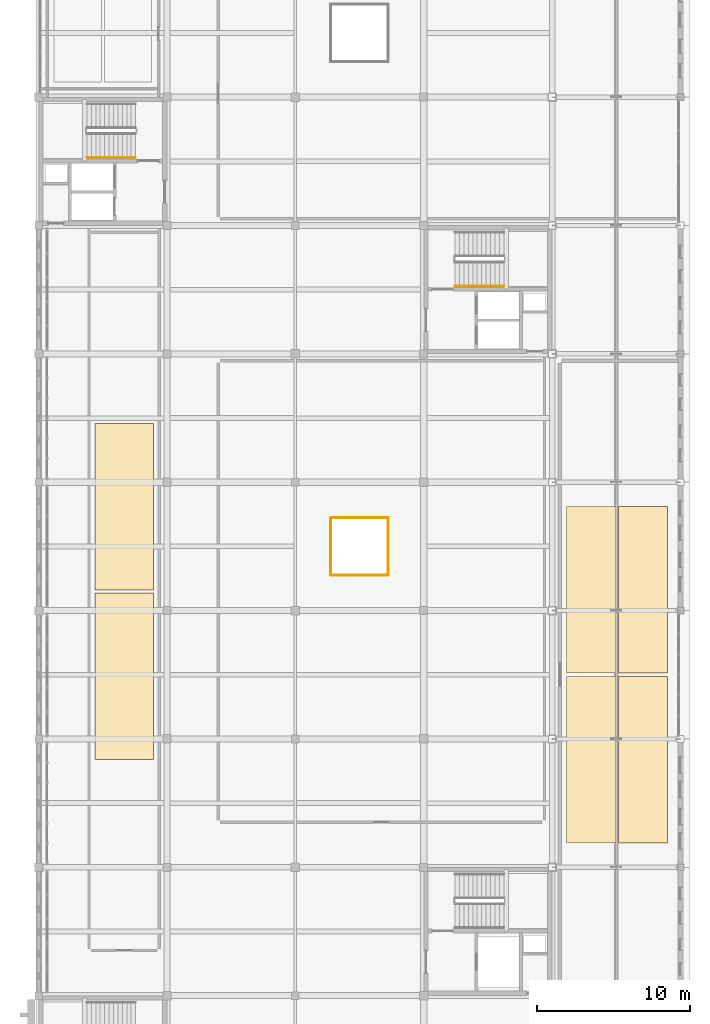
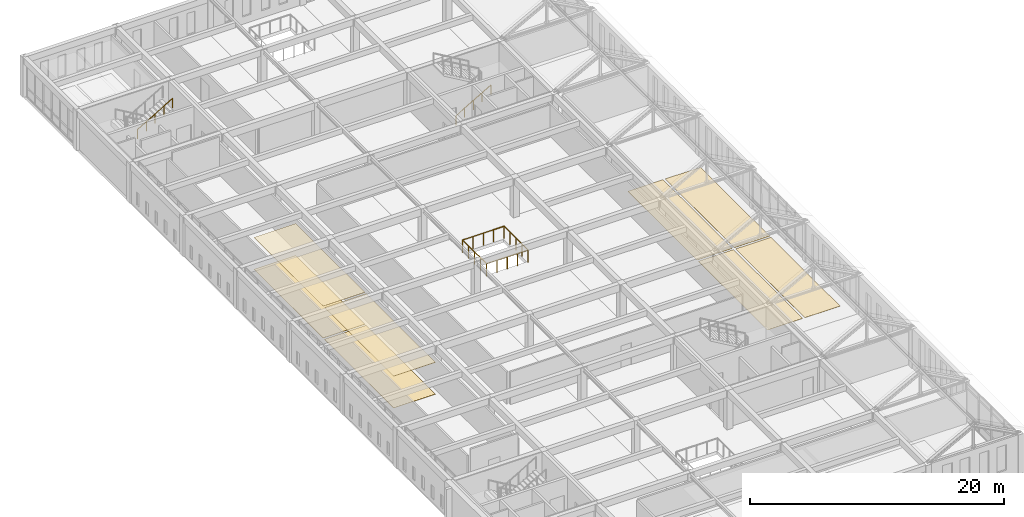
# One storey, part 35 of 36: 8 coverings, 6 railings.
"""IFC4 building model written with IfcOpenShell, lengths in metres."""

from ifc_helpers import new_model, si_unit, direction, frame, origin, origin_2d, place, context, subcontext, project, spatial, rectangle, circle, extrude, material, layer, layer_set, type_object, element, save


model = new_model("IFC4")

# Units and contexts
model_context = context("Model", 3, precision=1e-05, world=origin(), true_north=direction((0.0, 1.0)))
body_context = subcontext(model_context, "Body", "Model", "MODEL_VIEW")
ifc_project = project(units=[si_unit("LENGTHUNIT", "METRE"), si_unit("AREAUNIT", "SQUARE_METRE"), si_unit("VOLUMEUNIT", "CUBIC_METRE"), si_unit("PLANEANGLEUNIT", "RADIAN"), si_unit("MASSUNIT", "GRAM", prefix="KILO")], contexts=[model_context])

# Site, building, storey
site_placement = place(None, origin())
site = spatial("IfcSite", under=ifc_project, at=site_placement, CompositionType="ELEMENT")
building_placement = place(site_placement, origin())
building = spatial("IfcBuilding", under=site, at=building_placement, Name="Kveldsbrygga Polytechnic", CompositionType="ELEMENT")
storey_placement = place(building_placement, frame((0.0, 0.0, 22.10009765625)))
storey = spatial("IfcBuildingStorey", under=building, at=storey_placement, Name="L05", CompositionType="ELEMENT", Elevation=22.10009765625)

# Coverings
ifc_material_1 = material(Name="Acoustic mineral baffle ceiling")
ifc_layer_1 = layer(ifc_material_1, 0.030029296875)
ifc_layer_set_1 = layer_set([ifc_layer_1], Name="Acoustic mineral baffle ceiling")
covering_type_1 = type_object("IfcCoveringType", Name="COV-CEIL-AC30", PredefinedType="CEILING", material=ifc_layer_set_1)
for number, where, z_axis, x_axis, name in (
    (1, (131.60009765625, 54.5, 3.0498046875), (0.0, 0.0, 1.0), (1.0, 0.0, 0.0), "Acoustic Ceiling SP-L05-SEM51-S"),
    (2, (131.60009765625, 65.60009765625, 3.0498046875), (0.0, 0.0, 1.0), (1.0, 0.0, 0.0), "Acoustic Ceiling SP-L05-SEM51-N"),
):
    element("IfcCovering", number, at=place(storey_placement, frame(where, z_axis=z_axis, x_axis=x_axis)), inside=storey, type_object=covering_type_1, Name=name, PredefinedType="CEILING", context=body_context, shape_type="SweptSolid", body=[
        extrude(rectangle(XDim=3.800048828125, YDim=10.89990234375, at=origin_2d()), origin(), (0.0, 0.0, 1.0), 0.030029296875),
    ])
ifc_material_2 = material(Name="Heavy-duty quartz-filled epoxy resin flooring")
ifc_layer_2 = layer(ifc_material_2, 0.014892578125)
ifc_layer_set_2 = layer_set([ifc_layer_2], Name="Heavy-duty quartz-filled epoxy resin flooring")
covering_type_2 = type_object("IfcCoveringType", Name="COV-FLR-EPX15", PredefinedType="FLOORING", material=ifc_layer_set_2)
for number, where, z_axis, x_axis, name in (
    (3, (162.14990234375, 49.050048828125, 0.0), (0.0, 0.0, 1.0), (1.0, 0.0, 0.0), "Room Flooring SP-L05-LAB51-WS"),
    (4, (162.14990234375, 60.14990234375, 0.0), (0.0, 0.0, 1.0), (1.0, 0.0, 0.0), "Room Flooring SP-L05-LAB51-WN"),
    (5, (165.550048828125, 49.050048828125, 0.0), (0.0, 0.0, 1.0), (1.0, 0.0, 0.0), "Room Flooring SP-L05-LAB51-ES"),
    (6, (165.550048828125, 60.14990234375, 0.0), (0.0, 0.0, 1.0), (1.0, 0.0, 0.0), "Room Flooring SP-L05-LAB51-EN"),
):
    element("IfcCovering", number, at=place(storey_placement, frame(where, z_axis=z_axis, x_axis=x_axis)), inside=storey, type_object=covering_type_2, Name=name, PredefinedType="FLOORING", context=body_context, shape_type="SweptSolid", body=[
        extrude(rectangle(XDim=3.199951171875, YDim=10.89990234375, at=origin_2d()), origin(), (0.0, 0.0, 1.0), 0.014892578125),
    ])
ifc_material_3 = material(Name="Acoustic oak timber flooring", Category="wood")
ifc_layer_3 = layer(ifc_material_3, 0.02197265625)
ifc_layer_set_3 = layer_set([ifc_layer_3], Name="Acoustic oak timber flooring")
covering_type_3 = type_object("IfcCoveringType", Name="COV-FLR-OAK22", PredefinedType="FLOORING", material=ifc_layer_set_3)
for number, where, z_axis, x_axis, name in (
    (7, (131.60009765625, 54.5, 0.0), (0.0, 0.0, 1.0), (1.0, 0.0, 0.0), "Room Flooring SP-L05-SEM51-S"),
    (8, (131.60009765625, 65.60009765625, 0.0), (0.0, 0.0, 1.0), (1.0, 0.0, 0.0), "Room Flooring SP-L05-SEM51-N"),
):
    element("IfcCovering", number, at=place(storey_placement, frame(where, z_axis=z_axis, x_axis=x_axis)), inside=storey, type_object=covering_type_3, Name=name, PredefinedType="FLOORING", context=body_context, shape_type="SweptSolid", body=[
        extrude(rectangle(XDim=3.800048828125, YDim=10.89990234375, at=origin_2d()), origin(), (0.0, 0.0, 1.0), 0.02197265625),
    ])

# Railings
ifc_material_4 = material(Name="Steel S355", Category="steel")
railing_type_1 = type_object("IfcRailingType", Name="RL-STAIR-HND", PredefinedType="HANDRAIL", material=ifc_material_4)
railing_1_placement = place(storey_placement, frame((129.159912109375, 88.449951171875, 2.2099609375)))
element("IfcRailing", 9, at=railing_1_placement, inside=storey, type_object=railing_type_1, Name="L05 ST-2 stair handrail 2", PredefinedType="HANDRAIL", context=body_context, shape_type="SweptSolid", body=[
    extrude(circle(Radius=0.02392578125, at=origin_2d()), frame((0.0, 0.0, 0.8759765625), z_axis=(0.862725780356, 0.0, 0.505672055693), x_axis=(0.0, 1.0, 0.0)), (0.0, 0.0, 1.0), 3.69775390625),
    extrude(circle(Radius=0.02099609375, at=origin_2d()), origin(), (0.0, 0.0, 1.0), 0.847900390625),
    extrude(circle(Radius=0.02099609375, at=origin_2d()), frame((0.797607421875, 0.0, 0.467529296875)), (0.0, 0.0, 1.0), 0.847900390625),
    extrude(circle(Radius=0.02099609375, at=origin_2d()), frame((1.59521484375, 0.0, 0.93505859375)), (0.0, 0.0, 1.0), 0.847900390625),
    extrude(circle(Radius=0.02099609375, at=origin_2d()), frame((2.392578125, 0.0, 1.40234375)), (0.0, 0.0, 1.0), 0.847900390625),
    extrude(circle(Radius=0.02099609375, at=origin_2d()), frame((3.190185546875, 0.0, 1.869873046875)), (0.0, 0.0, 1.0), 0.847900390625),
])
railing_2_placement = place(storey_placement, frame((153.25, 80.050048828125, 0.169921875)))
element("IfcRailing", 10, at=railing_2_placement, inside=storey, type_object=railing_type_1, Name="L05 ST-4 stair handrail 1", PredefinedType="HANDRAIL", context=body_context, shape_type="SweptSolid", body=[
    extrude(circle(Radius=0.02392578125, at=origin_2d()), frame((0.0, 0.0, 0.8759765625), z_axis=(0.86270889649, 0.0, 0.505700860111), x_axis=(0.0, 1.0, 0.0)), (0.0, 0.0, 1.0), 3.697509765625),
    extrude(circle(Radius=0.02099609375, at=origin_2d()), origin(), (0.0, 0.0, 1.0), 0.847900390625),
    extrude(circle(Radius=0.02099609375, at=origin_2d()), frame((0.79736328125, 0.0, 0.467529296875)), (0.0, 0.0, 1.0), 0.847900390625),
    extrude(circle(Radius=0.02099609375, at=origin_2d()), frame((1.594970703125, 0.0, 0.93505859375)), (0.0, 0.0, 1.0), 0.847900390625),
    extrude(circle(Radius=0.02099609375, at=origin_2d()), frame((2.392578125, 0.0, 1.40234375)), (0.0, 0.0, 1.0), 0.847900390625),
    extrude(circle(Radius=0.02099609375, at=origin_2d()), frame((3.18994140625, 0.0, 1.869873046875)), (0.0, 0.0, 1.0), 0.847900390625),
])
railing_type_2 = type_object("IfcRailingType", Name="RL-VOID-GRD", PredefinedType="GUARDRAIL", material=ifc_material_4)
railing_3_placement = place(storey_placement, frame((145.1201171875, 61.1201171875, 0.0)))
element("IfcRailing", 11, at=railing_3_placement, inside=storey, type_object=railing_type_2, Name="Atrium Well Guard GRD-L05-WELL-7-S", PredefinedType="GUARDRAIL", context=body_context, shape_type="SweptSolid", body=[
    extrude(circle(Radius=0.02392578125, at=origin_2d()), frame((0.0, 0.0, 1.17578125), z_axis=(1.0, 0.0, 0.0), x_axis=(0.0, 1.0, 0.0)), (0.0, 0.0, 1.0), 3.759765625),
    extrude(circle(Radius=0.02099609375, at=origin_2d()), origin(), (0.0, 0.0, 1.0), 1.14794921875),
    extrude(circle(Radius=0.02099609375, at=origin_2d()), frame((0.93994140625, 0.0, 0.0)), (0.0, 0.0, 1.0), 1.14794921875),
    extrude(circle(Radius=0.02099609375, at=origin_2d()), frame((1.8798828125, 0.0, 0.0)), (0.0, 0.0, 1.0), 1.14794921875),
    extrude(circle(Radius=0.02099609375, at=origin_2d()), frame((2.81982421875, 0.0, 0.0)), (0.0, 0.0, 1.0), 1.14794921875),
    extrude(circle(Radius=0.02099609375, at=origin_2d()), frame((3.759765625, 0.0, 0.0)), (0.0, 0.0, 1.0), 1.14794921875),
])
railing_4_placement = place(storey_placement, frame((148.8798828125, 61.1201171875, 0.0)))
element("IfcRailing", 12, at=railing_4_placement, inside=storey, type_object=railing_type_2, Name="Atrium Well Guard GRD-L05-WELL-7-E", PredefinedType="GUARDRAIL", context=body_context, shape_type="SweptSolid", body=[
    extrude(circle(Radius=0.02392578125, at=origin_2d()), frame((0.0, 0.0, 1.17578125), z_axis=(0.0, 1.0, 0.0), x_axis=(-1.0, 0.0, 0.0)), (0.0, 0.0, 1.0), 3.759765625),
    extrude(circle(Radius=0.02099609375, at=origin_2d()), origin(), (0.0, 0.0, 1.0), 1.14794921875),
    extrude(circle(Radius=0.02099609375, at=origin_2d()), frame((0.0, 0.93994140625, 0.0)), (0.0, 0.0, 1.0), 1.14794921875),
    extrude(circle(Radius=0.02099609375, at=origin_2d()), frame((0.0, 1.8798828125, 0.0)), (0.0, 0.0, 1.0), 1.14794921875),
    extrude(circle(Radius=0.02099609375, at=origin_2d()), frame((0.0, 2.81982421875, 0.0)), (0.0, 0.0, 1.0), 1.14794921875),
    extrude(circle(Radius=0.02099609375, at=origin_2d()), frame((0.0, 3.759765625, 0.0)), (0.0, 0.0, 1.0), 1.14794921875),
])
railing_5_placement = place(storey_placement, frame((148.8798828125, 64.8798828125, 0.0)))
element("IfcRailing", 13, at=railing_5_placement, inside=storey, type_object=railing_type_2, Name="Atrium Well Guard GRD-L05-WELL-7-N", PredefinedType="GUARDRAIL", context=body_context, shape_type="SweptSolid", body=[
    extrude(circle(Radius=0.02392578125, at=origin_2d()), frame((0.0, 0.0, 1.17578125), z_axis=(-1.0, 0.0, 0.0), x_axis=(0.0, -1.0, 0.0)), (0.0, 0.0, 1.0), 3.759765625),
    extrude(circle(Radius=0.02099609375, at=origin_2d()), origin(), (0.0, 0.0, 1.0), 1.14794921875),
    extrude(circle(Radius=0.02099609375, at=origin_2d()), frame((-0.93994140625, 0.0, 0.0)), (0.0, 0.0, 1.0), 1.14794921875),
    extrude(circle(Radius=0.02099609375, at=origin_2d()), frame((-1.8798828125, 0.0, 0.0)), (0.0, 0.0, 1.0), 1.14794921875),
    extrude(circle(Radius=0.02099609375, at=origin_2d()), frame((-2.81982421875, 0.0, 0.0)), (0.0, 0.0, 1.0), 1.14794921875),
    extrude(circle(Radius=0.02099609375, at=origin_2d()), frame((-3.759765625, 0.0, 0.0)), (0.0, 0.0, 1.0), 1.14794921875),
])
railing_6_placement = place(storey_placement, frame((145.1201171875, 64.8798828125, 0.0)))
element("IfcRailing", 14, at=railing_6_placement, inside=storey, type_object=railing_type_2, Name="Atrium Well Guard GRD-L05-WELL-7-W", PredefinedType="GUARDRAIL", context=body_context, shape_type="SweptSolid", body=[
    extrude(circle(Radius=0.02392578125, at=origin_2d()), frame((0.0, 0.0, 1.17578125), z_axis=(0.0, -1.0, 0.0), x_axis=(1.0, 0.0, 0.0)), (0.0, 0.0, 1.0), 3.759765625),
    extrude(circle(Radius=0.02099609375, at=origin_2d()), origin(), (0.0, 0.0, 1.0), 1.14794921875),
    extrude(circle(Radius=0.02099609375, at=origin_2d()), frame((0.0, -0.93994140625, 0.0)), (0.0, 0.0, 1.0), 1.14794921875),
    extrude(circle(Radius=0.02099609375, at=origin_2d()), frame((0.0, -1.8798828125, 0.0)), (0.0, 0.0, 1.0), 1.14794921875),
    extrude(circle(Radius=0.02099609375, at=origin_2d()), frame((0.0, -2.81982421875, 0.0)), (0.0, 0.0, 1.0), 1.14794921875),
    extrude(circle(Radius=0.02099609375, at=origin_2d()), frame((0.0, -3.759765625, 0.0)), (0.0, 0.0, 1.0), 1.14794921875),
])

save(model, "model.ifc")
